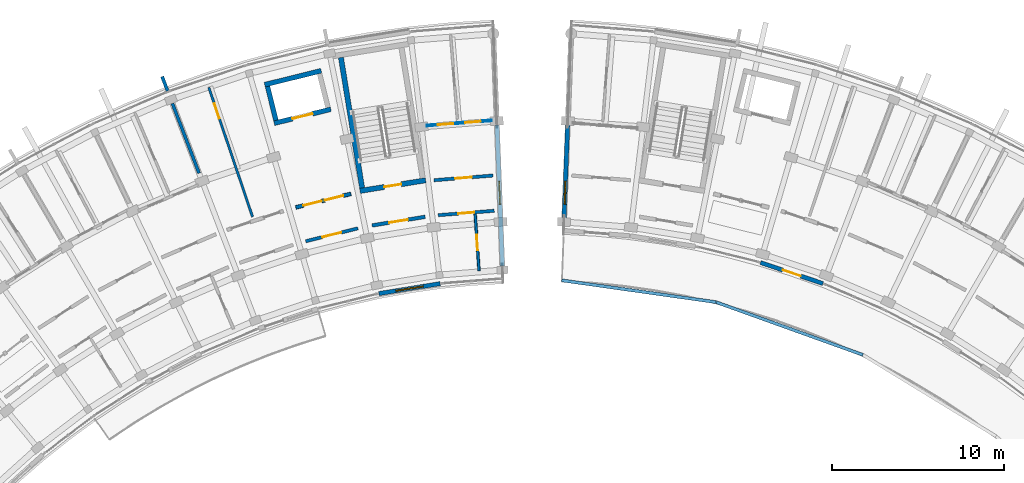
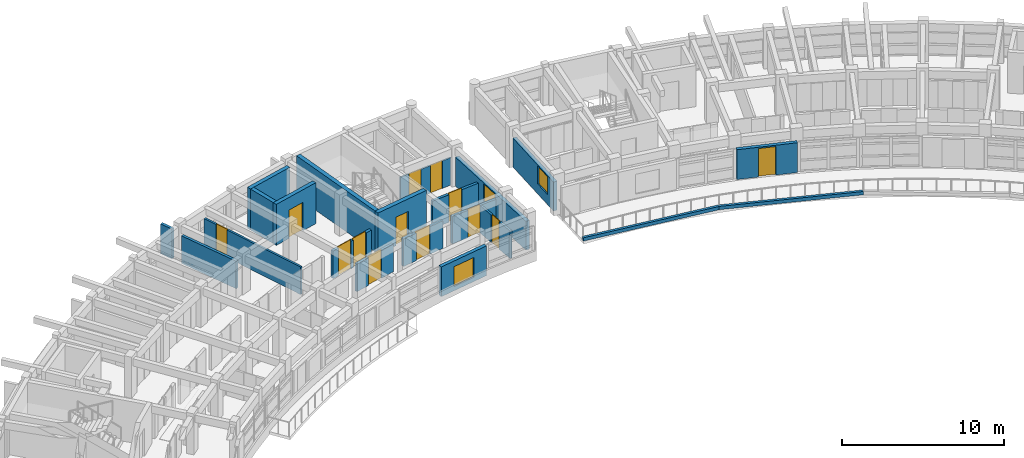
# One storey, part 22 of 38: 21 walls, 13 doors, 3 windows, 16 openings.
"""IFC4 building model written with IfcOpenShell, lengths in metres."""

from ifc_helpers import new_model, si_unit, direction, frame, frame_2d, origin, place, context, subcontext, project, spatial, rectangle, extrude, material, layer, layer_set, type_object, element, fill, save


model = new_model("IFC4")

# Units and contexts
model_context = context("Model", 3, precision=1e-05, world=origin(), true_north=direction((0.0, 1.0)))
body_context = subcontext(model_context, "Body", "Model", "MODEL_VIEW")
ifc_project = project(units=[si_unit("LENGTHUNIT", "METRE"), si_unit("AREAUNIT", "SQUARE_METRE"), si_unit("VOLUMEUNIT", "CUBIC_METRE"), si_unit("PLANEANGLEUNIT", "RADIAN"), si_unit("MASSUNIT", "GRAM", prefix="KILO")], contexts=[model_context])

# Site, building, storey
site_placement = place(None, origin())
site = spatial("IfcSite", under=ifc_project, at=site_placement, CompositionType="ELEMENT")
building_placement = place(site_placement, origin())
building = spatial("IfcBuilding", under=site, at=building_placement, Name="Zimvara Arc Housing Community", CompositionType="ELEMENT")
storey_placement = place(building_placement, frame((0.0, 0.0, 29.800048828125)))
storey = spatial("IfcBuildingStorey", under=building, at=storey_placement, Name="L09", CompositionType="ELEMENT", Elevation=29.800048828125)

# Wall, opening, window
ifc_material_1 = material(Name="Board-Marked Fair-Faced Concrete C35/45", Category="concrete")
ifc_layer_1 = layer(ifc_material_1, 0.2548828125)
ifc_layer_set_1 = layer_set([ifc_layer_1], Name="Board-Marked Fair-Faced Concrete C35/45")
wall_type_1 = type_object("IfcWallType", Name="EWL-CONC-255", PredefinedType="SOLIDWALL", material=ifc_layer_set_1)
wall_1_placement = place(storey_placement, frame((43.2587890625, 89.82666015625, 0.0), z_axis=(0.0, 0.0, 1.0), x_axis=(-0.038407966241, 0.999262141847, 0.0)))
wall_1 = element("IfcWall", 1, at=wall_1_placement, inside=storey, type_object=wall_type_1, Name="ewall:blkA:L09:gN", PredefinedType="SOLIDWALL", context=body_context, shape_type="SweptSolid", body=[
    extrude(rectangle(XDim=8.199951171875, YDim=0.2548828125, at=frame_2d((4.10009765625, 0.0))), origin(), (0.0, 0.0, 1.0), 2.179931640625),
])
opening_1_placement = place(wall_1_placement, frame((3.590087890625, 0.0, 0.75)))
opening_1 = element("IfcOpeningElement", 2, at=opening_1_placement, cuts=wall_1, Name="Opening W12", PredefinedType="OPENING", context=body_context, shape_type="SweptSolid", body=[
    extrude(rectangle(XDim=1.35009765625, YDim=1.35009765625, at=frame_2d((0.675048828125, 0.675048828125))), frame((0.0, 0.137451171875, 0.0), z_axis=(0.0, -1.0, 0.0), x_axis=(1.0, 0.0, 0.0)), (0.0, 0.0, 1.0), 0.27490234375),
])
ifc_material_2 = material(Name="Solar Control Low-E Double Glazing", Category="glass")
window_type_1 = type_object("IfcWindowType", Name="WIN-RES-1350x1350", PartitioningType="DOUBLE_PANEL_VERTICAL", PredefinedType="WINDOW", material=ifc_material_2)
window_1_placement = place(opening_1_placement, origin())
window_1 = element("IfcWindow", 3, at=window_1_placement, inside=storey, type_object=window_type_1, Name="win:blkA:L09:gN:w", OverallHeight=1.35009765625, OverallWidth=1.35009765625, PartitioningType="DOUBLE_PANEL_VERTICAL", PredefinedType="WINDOW", context=body_context, shape_type="SweptSolid", body=[
    extrude(rectangle(XDim=1.35009765625, YDim=1.35009765625, at=frame_2d((0.675048828125, 0.675048828125))), frame((0.0, 0.030029296875, 0.0), z_axis=(0.0, -1.0, 0.0), x_axis=(1.0, 0.0, 0.0)), (0.0, 0.0, 1.0), 0.06005859375),
])
fill(opening_1, window_1)

wall_2_placement = place(storey_placement, frame((46.848876953125, 92.62451171875, 0.0), z_axis=(0.0, 0.0, 1.0), x_axis=(0.038384504742, 0.999263043345, 0.0)))
wall_2 = element("IfcWall", 4, at=wall_2_placement, inside=storey, type_object=wall_type_1, Name="ewall:blkB:L09:g0", PredefinedType="SOLIDWALL", context=body_context, shape_type="SweptSolid", body=[
    extrude(rectangle(XDim=5.39990234375, YDim=0.2548828125, at=frame_2d((2.699951171875, 0.0))), origin(), (0.0, 0.0, 1.0), 2.179931640625),
])
opening_2_placement = place(wall_2_placement, frame((0.7900390625, 0.0, 0.75)))
opening_2 = element("IfcOpeningElement", 5, at=opening_2_placement, cuts=wall_2, Name="Opening W12", PredefinedType="OPENING", context=body_context, shape_type="SweptSolid", body=[
    extrude(rectangle(XDim=1.35009765625, YDim=1.35009765625, at=frame_2d((0.675048828125, 0.675048828125))), frame((0.0, 0.137451171875, 0.0), z_axis=(0.0, -1.0, 0.0), x_axis=(1.0, 0.0, 0.0)), (0.0, 0.0, 1.0), 0.27490234375),
])
window_2_placement = place(opening_2_placement, origin())
window_2 = element("IfcWindow", 6, at=window_2_placement, inside=storey, type_object=window_type_1, Name="win:blkB:L09:g0:w", OverallHeight=1.35009765625, OverallWidth=1.35009765625, PartitioningType="DOUBLE_PANEL_VERTICAL", PredefinedType="WINDOW", context=body_context, shape_type="SweptSolid", body=[
    extrude(rectangle(XDim=1.35009765625, YDim=1.35009765625, at=frame_2d((0.675048828125, 0.675048828125))), frame((0.0, 0.030029296875, 0.0), z_axis=(0.0, -1.0, 0.0), x_axis=(1.0, 0.0, 0.0)), (0.0, 0.0, 1.0), 0.06005859375),
])
fill(opening_2, window_2)

# Walls
ifc_material_3 = material(Name="Board-Marked Fair-Faced Concrete C35/45", Category="concrete")
ifc_layer_2 = layer(ifc_material_3, 0.179931640625)
ifc_layer_set_2 = layer_set([ifc_layer_2], Name="Board-Marked Fair-Faced Concrete C35/45")
wall_type_2 = type_object("IfcWallType", Name="EWL-PARA-180", PredefinedType="PARAPET", material=ifc_layer_set_2)
for number, where, z_axis, x_axis, name in (
    (7, (46.708984375, 88.9873046875, 0.0), (0.0, 0.0, 1.0), (0.990144916512, -0.140046579057, 0.0), "parapet:blkB:L09:p0"),
    (8, (55.695068359375, 87.71630859375, 0.0), (0.0, 0.0, 1.0), (0.941178218484, -0.337910581443, 0.0), "parapet:blkB:L09:p5"),
):
    element("IfcWall", number, at=place(storey_placement, frame(where, z_axis=z_axis, x_axis=x_axis)), inside=storey, type_object=wall_type_2, Name=name, PredefinedType="PARAPET", context=body_context, shape_type="SweptSolid", body=[
        extrude(rectangle(XDim=9.075439453125, YDim=0.179931640625, at=frame_2d((4.53759765625, 0.0))), origin(), (0.0, 0.0, 1.0), 0.25),
    ])
ifc_material_4 = material(Name="Board-Marked Fair-Faced Concrete C35/45", Category="concrete")
ifc_layer_3 = layer(ifc_material_4, 0.195068359375)
ifc_layer_set_3 = layer_set([ifc_layer_3], Name="Board-Marked Fair-Faced Concrete C35/45")
wall_type_3 = type_object("IfcWallType", Name="EWL-PARA-195", PredefinedType="PARAPET", material=ifc_layer_set_3)
wall_3_placement = place(storey_placement, frame((23.783203125, 100.0029296875, 0.0), z_axis=(0.0, 0.0, 1.0), x_axis=(-0.356942580168, 0.934126326823, 0.0)))
element("IfcWall", 9, at=wall_3_placement, inside=storey, type_object=wall_type_3, Name="finwall:blkA:L09:out:b6", PredefinedType="PARAPET", context=body_context, shape_type="SweptSolid", body=[
    extrude(rectangle(XDim=0.900146484375, YDim=0.195068359375, at=frame_2d((0.4501953125, 0.0))), origin(), (0.0, 0.0, 1.0), 2.25),
])

# Wall, opening, window
ifc_material_5 = material(Name="Pigmented Fair-Faced Concrete C35/45", Category="concrete")
ifc_layer_4 = layer(ifc_material_5, 0.2451171875)
ifc_layer_set_4 = layer_set([ifc_layer_4], Name="Pigmented Fair-Faced Concrete C35/45")
wall_type_4 = type_object("IfcWallType", Name="EWL-PIGM-245", PredefinedType="SOLIDWALL", material=ifc_layer_set_4)
wall_4_placement = place(storey_placement, frame((36.078125, 88.218017578125, 0.0), z_axis=(0.0, 0.0, 1.0), x_axis=(0.987080874485, 0.160222804952, 0.0)))
wall_4 = element("IfcWall", 10, at=wall_4_placement, inside=storey, type_object=wall_type_4, Name="ewall:blkA:L09:in:b8", PredefinedType="SOLIDWALL", context=body_context, shape_type="SweptSolid", body=[
    extrude(rectangle(XDim=3.603759765625, YDim=0.2451171875, at=frame_2d((1.8017578125, 0.0))), origin(), (0.0, 0.0, 1.0), 2.25),
])
opening_3_placement = place(wall_4_placement, frame((1.001708984375, 0.0, 0.320068359375)))
opening_3 = element("IfcOpeningElement", 11, at=opening_3_placement, cuts=wall_4, Name="Opening W03", PredefinedType="OPENING", context=body_context, shape_type="SweptSolid", body=[
    extrude(rectangle(XDim=1.60009765625, YDim=1.5, at=frame_2d((0.800048828125, 0.75))), frame((0.0, 0.132568359375, 0.0), z_axis=(0.0, -1.0, 0.0), x_axis=(1.0, 0.0, 0.0)), (0.0, 0.0, 1.0), 0.26513671875),
])
ifc_material_6 = material(Name="Solar Control Low-E Double Glazing", Category="glass")
window_type_2 = type_object("IfcWindowType", Name="WIN-RES-1600x1500", PartitioningType="DOUBLE_PANEL_VERTICAL", PredefinedType="WINDOW", material=ifc_material_6)
window_3_placement = place(opening_3_placement, origin())
window_3 = element("IfcWindow", 12, at=window_3_placement, inside=storey, type_object=window_type_2, Name="win:blkA:L09:in:b8", OverallHeight=1.5, OverallWidth=1.60009765625, PartitioningType="DOUBLE_PANEL_VERTICAL", PredefinedType="WINDOW", context=body_context, shape_type="SweptSolid", body=[
    extrude(rectangle(XDim=1.60009765625, YDim=1.5, at=frame_2d((0.800048828125, 0.75))), frame((0.0, 0.030029296875, 0.0), z_axis=(0.0, -1.0, 0.0), x_axis=(1.0, 0.0, 0.0)), (0.0, 0.0, 1.0), 0.06005859375),
])
fill(opening_3, window_3)

# Wall, opening, door
wall_5_placement = place(storey_placement, frame((58.280517578125, 90.021484375, 0.0), z_axis=(0.0, 0.0, 1.0), x_axis=(0.947890376231, -0.318596664529, 0.0)))
wall_5 = element("IfcWall", 13, at=wall_5_placement, inside=storey, type_object=wall_type_4, Name="ewall:blkB:L09:in:b3", PredefinedType="SOLIDWALL", context=body_context, shape_type="SweptSolid", body=[
    extrude(rectangle(XDim=3.832275390625, YDim=0.2451171875, at=frame_2d((1.916015625, 0.0))), origin(), (0.0, 0.0, 1.0), 2.25),
])
opening_4_placement = place(wall_5_placement, frame((1.3662109375, 0.0, 0.0)))
opening_4 = element("IfcOpeningElement", 14, at=opening_4_placement, cuts=wall_5, Name="Opening ED06", PredefinedType="OPENING", context=body_context, shape_type="SweptSolid", body=[
    extrude(rectangle(XDim=1.10009765625, YDim=2.14990234375, at=frame_2d((0.550048828125, 1.074951171875))), frame((0.0, 0.132568359375, 0.0), z_axis=(0.0, -1.0, 0.0), x_axis=(1.0, 0.0, 0.0)), (0.0, 0.0, 1.0), 0.26513671875),
])
ifc_material_7 = material(Name="Anodised Aluminium AW-6063", Category="aluminium")
door_type_1 = type_object("IfcDoorType", Name="EDR-TERR-1100x2150", OperationType="NOTDEFINED", PredefinedType="DOOR", material=ifc_material_7)
door_1_placement = place(opening_4_placement, origin())
door_1 = element("IfcDoor", 15, at=door_1_placement, inside=storey, type_object=door_type_1, Name="edoor:blkB:L09:terr:b3", OperationType="SINGLE_SWING_LEFT", OverallHeight=2.14990234375, OverallWidth=1.10009765625, PredefinedType="DOOR", context=body_context, shape_type="SweptSolid", body=[
    extrude(rectangle(XDim=1.10009765625, YDim=2.14990234375, at=frame_2d((0.550048828125, 1.074951171875))), frame((0.0, 0.02490234375, 0.0), z_axis=(0.0, -1.0, 0.0), x_axis=(1.0, 0.0, 0.0)), (0.0, 0.0, 1.0), 0.050048828125),
])
fill(opening_4, door_1)

# Wall, openings, doors
ifc_material_8 = material(Name="Concrete C35/45", Category="concrete")
ifc_layer_5 = layer(ifc_material_8, 0.2099609375)
ifc_layer_set_5 = layer_set([ifc_layer_5], Name="Concrete C35/45")
wall_type_5 = type_object("IfcWallType", Name="IWL-CCF-210", PredefinedType="SOLIDWALL", material=ifc_layer_set_5)
wall_6_placement = place(storey_placement, frame((31.242919921875, 93.22998046875, 0.0), z_axis=(0.0, 0.0, 1.0), x_axis=(0.970719238682, 0.240216901263, 0.0)))
wall_6 = element("IfcWall", 16, at=wall_6_placement, inside=storey, type_object=wall_type_5, Name="iwall:blkA:L09:ll_div:b7", PredefinedType="SOLIDWALL", context=body_context, shape_type="SweptSolid", body=[
    extrude(rectangle(XDim=3.2958984375, YDim=0.2099609375, at=frame_2d((1.64794921875, 0.0))), origin(), (0.0, 0.0, 1.0), 2.079833984375),
])
opening_5_placement = place(wall_6_placement, frame((0.449951171875, 0.0, 0.0)))
opening_5 = element("IfcOpeningElement", 17, at=opening_5_placement, cuts=wall_6, Name="Opening FD-CCF1", PredefinedType="OPENING", context=body_context, shape_type="SweptSolid", body=[
    extrude(rectangle(XDim=1.10009765625, YDim=2.14990234375, at=frame_2d((0.550048828125, 1.074951171875))), frame((0.0, 0.114990234375, 0.0), z_axis=(0.0, -1.0, 0.0), x_axis=(1.0, 0.0, 0.0)), (0.0, 0.0, 1.0), 0.22998046875),
])
opening_6_placement = place(wall_6_placement, frame((1.72607421875, 0.0, 0.0)))
opening_6 = element("IfcOpeningElement", 18, at=opening_6_placement, cuts=wall_6, Name="Opening D07", PredefinedType="OPENING", context=body_context, shape_type="SweptSolid", body=[
    extrude(rectangle(XDim=1.1201171875, YDim=2.14990234375, at=frame_2d((0.56005859375, 1.074951171875))), frame((0.0, 0.114990234375, 0.0), z_axis=(0.0, -1.0, 0.0), x_axis=(1.0, 0.0, 0.0)), (0.0, 0.0, 1.0), 0.22998046875),
])
ifc_material_9 = material(Name="Mozambican Hardwood", Category="wood")
door_type_2 = type_object("IfcDoorType", Name="IDR-AMN-1120x2150", OperationType="NOTDEFINED", PredefinedType="DOOR", material=ifc_material_9)
door_2_placement = place(opening_6_placement, origin())
door_2 = element("IfcDoor", 19, at=door_2_placement, inside=storey, type_object=door_type_2, Name="idoor:blkA:L09:rs_in:b7", OperationType="SINGLE_SWING_LEFT", OverallHeight=2.14990234375, OverallWidth=1.1201171875, PredefinedType="DOOR", context=body_context, shape_type="SweptSolid", body=[
    extrude(rectangle(XDim=1.1201171875, YDim=2.14990234375, at=frame_2d((0.56005859375, 1.074951171875))), frame((0.0, 0.02490234375, 0.0), z_axis=(0.0, -1.0, 0.0), x_axis=(1.0, 0.0, 0.0)), (0.0, 0.0, 1.0), 0.050048828125),
])
fill(opening_6, door_2)
ifc_material_10 = material(Name="Anodised Aluminium AW-6063", Category="aluminium")
door_type_3 = type_object("IfcDoorType", Name="IDR-CCF-1100x2150", OperationType="NOTDEFINED", PredefinedType="DOOR", material=ifc_material_10)
door_3_placement = place(opening_5_placement, origin())
door_3 = element("IfcDoor", 20, at=door_3_placement, inside=storey, type_object=door_type_3, Name="idoor:blkA:L09:ll_in:b7", OperationType="SINGLE_SWING_RIGHT", OverallHeight=2.14990234375, OverallWidth=1.10009765625, PredefinedType="DOOR", context=body_context, shape_type="SweptSolid", body=[
    extrude(rectangle(XDim=1.10009765625, YDim=2.14990234375, at=frame_2d((0.550048828125, 1.074951171875))), frame((0.0, 0.02490234375, 0.0), z_axis=(0.0, -1.0, 0.0), x_axis=(1.0, 0.0, 0.0)), (0.0, 0.0, 1.0), 0.050048828125),
])
fill(opening_5, door_3)

# Wall, opening, door
wall_7_placement = place(storey_placement, frame((35.675537109375, 92.181396484375, 0.0), z_axis=(0.0, 0.0, 1.0), x_axis=(0.98707079686, 0.160284877599, 0.0)))
wall_7 = element("IfcWall", 21, at=wall_7_placement, inside=storey, type_object=wall_type_5, Name="iwall:blkA:L09:ccf_div:b8", PredefinedType="SOLIDWALL", context=body_context, shape_type="SweptSolid", body=[
    extrude(rectangle(XDim=3.128662109375, YDim=0.2099609375, at=frame_2d((1.564453125, 0.0))), origin(), (0.0, 0.0, 1.0), 2.079833984375),
])
opening_7_placement = place(wall_7_placement, frame((1.014404296875, 0.0, 0.0)))
opening_7 = element("IfcOpeningElement", 22, at=opening_7_placement, cuts=wall_7, Name="Opening FD-CCF1", PredefinedType="OPENING", context=body_context, shape_type="SweptSolid", body=[
    extrude(rectangle(XDim=1.10009765625, YDim=2.14990234375, at=frame_2d((0.550048828125, 1.074951171875))), frame((0.0, 0.114990234375, 0.0), z_axis=(0.0, -1.0, 0.0), x_axis=(1.0, 0.0, 0.0)), (0.0, 0.0, 1.0), 0.22998046875),
])
door_4_placement = place(opening_7_placement, origin())
door_4 = element("IfcDoor", 23, at=door_4_placement, inside=storey, type_object=door_type_3, Name="idoor:blkA:L09:ccf_in:b8", OperationType="SINGLE_SWING_LEFT", OverallHeight=2.14990234375, OverallWidth=1.10009765625, PredefinedType="DOOR", context=body_context, shape_type="SweptSolid", body=[
    extrude(rectangle(XDim=1.10009765625, YDim=2.14990234375, at=frame_2d((0.550048828125, 1.074951171875))), frame((0.0, 0.02490234375, 0.0), z_axis=(0.0, -1.0, 0.0), x_axis=(1.0, 0.0, 0.0)), (0.0, 0.0, 1.0), 0.050048828125),
])
fill(opening_7, door_4)

ifc_material_11 = material(Name="Concrete C35/45", Category="concrete")
ifc_layer_6 = layer(ifc_material_11, 0.18994140625)
ifc_layer_set_6 = layer_set([ifc_layer_6], Name="Concrete C35/45")
wall_type_6 = type_object("IfcWallType", Name="IWL-CORR-190", PredefinedType="SOLIDWALL", material=ifc_layer_set_6)
wall_8_placement = place(storey_placement, frame((31.816162109375, 91.26171875, 0.0), z_axis=(0.0, 0.0, 1.0), x_axis=(0.970727194092, 0.240184751078, 0.0)))
wall_8 = element("IfcWall", 24, at=wall_8_placement, inside=storey, type_object=wall_type_6, Name="iwall:blkA:L09:ra_div:b7", PredefinedType="SOLIDWALL", context=body_context, shape_type="SweptSolid", body=[
    extrude(rectangle(XDim=3.128662109375, YDim=0.18994140625, at=frame_2d((1.564453125, 0.0))), origin(), (0.0, 0.0, 1.0), 2.079833984375),
])
opening_8_placement = place(wall_8_placement, frame((1.00439453125, 0.0, 0.0)))
opening_8 = element("IfcOpeningElement", 25, at=opening_8_placement, cuts=wall_8, Name="Opening D07", PredefinedType="OPENING", context=body_context, shape_type="SweptSolid", body=[
    extrude(rectangle(XDim=1.1201171875, YDim=2.14990234375, at=frame_2d((0.56005859375, 1.074951171875))), frame((0.0, 0.10498046875, 0.0), z_axis=(0.0, -1.0, 0.0), x_axis=(1.0, 0.0, 0.0)), (0.0, 0.0, 1.0), 0.2099609375),
])
door_5_placement = place(opening_8_placement, origin())
door_5 = element("IfcDoor", 26, at=door_5_placement, inside=storey, type_object=door_type_2, Name="idoor:blkA:L09:ra_d:b7", OperationType="SINGLE_SWING_RIGHT", OverallHeight=2.14990234375, OverallWidth=1.1201171875, PredefinedType="DOOR", context=body_context, shape_type="SweptSolid", body=[
    extrude(rectangle(XDim=1.1201171875, YDim=2.14990234375, at=frame_2d((0.56005859375, 1.074951171875))), frame((0.0, 0.02490234375, 0.0), z_axis=(0.0, -1.0, 0.0), x_axis=(1.0, 0.0, 0.0)), (0.0, 0.0, 1.0), 0.050048828125),
])
fill(opening_8, door_5)

wall_9_placement = place(storey_placement, frame((39.281494140625, 94.81298828125, 0.0), z_axis=(0.0, 0.0, 1.0), x_axis=(0.996862545573, 0.079152165058, 0.0)))
wall_9 = element("IfcWall", 27, at=wall_9_placement, inside=storey, type_object=wall_type_6, Name="iwall:blkA:L09:corr_out:b9", PredefinedType="SOLIDWALL", context=body_context, shape_type="SweptSolid", body=[
    extrude(rectangle(XDim=3.43603515625, YDim=0.18994140625, at=frame_2d((1.718017578125, 0.0))), origin(), (0.0, 0.0, 1.0), 2.079833984375),
])
opening_9_placement = place(wall_9_placement, frame((1.22802734375, 0.0, 0.0)))
opening_9 = element("IfcOpeningElement", 28, at=opening_9_placement, cuts=wall_9, Name="Opening FD-FL1", PredefinedType="OPENING", context=body_context, shape_type="SweptSolid", body=[
    extrude(rectangle(XDim=0.97998046875, YDim=2.14990234375, at=frame_2d((0.489990234375, 1.074951171875))), frame((0.0, 0.10498046875, 0.0), z_axis=(0.0, -1.0, 0.0), x_axis=(1.0, 0.0, 0.0)), (0.0, 0.0, 1.0), 0.2099609375),
])
ifc_material_12 = material(Name="Mozambican Hardwood", Category="wood")
door_type_4 = type_object("IfcDoorType", Name="IDR-FLAT-0980x2150", OperationType="NOTDEFINED", PredefinedType="DOOR", material=ifc_material_12)
door_6_placement = place(opening_9_placement, origin())
door_6 = element("IfcDoor", 29, at=door_6_placement, inside=storey, type_object=door_type_4, Name="idoor:blkA:L09:flat:b9", OperationType="SINGLE_SWING_RIGHT", OverallHeight=2.14990234375, OverallWidth=0.97998046875, PredefinedType="DOOR", context=body_context, shape_type="SweptSolid", body=[
    extrude(rectangle(XDim=0.97998046875, YDim=2.14990234375, at=frame_2d((0.489990234375, 1.074951171875))), frame((0.0, 0.02490234375, 0.0), z_axis=(0.0, -1.0, 0.0), x_axis=(1.0, 0.0, 0.0)), (0.0, 0.0, 1.0), 0.050048828125),
])
fill(opening_9, door_6)

wall_10_placement = place(storey_placement, frame((39.527099609375, 92.77783203125, 0.0), z_axis=(0.0, 0.0, 1.0), x_axis=(0.99686660806, 0.07910098441, 0.0)))
wall_10 = element("IfcWall", 30, at=wall_10_placement, inside=storey, type_object=wall_type_6, Name="iwall:blkA:L09:corr_in:b9", PredefinedType="SOLIDWALL", context=body_context, shape_type="SweptSolid", body=[
    extrude(rectangle(XDim=3.2685546875, YDim=0.18994140625, at=frame_2d((1.63427734375, 0.0))), origin(), (0.0, 0.0, 1.0), 2.079833984375),
])
opening_10_placement = place(wall_10_placement, frame((1.164306640625, 0.0, 0.0)))
opening_10 = element("IfcOpeningElement", 31, at=opening_10_placement, cuts=wall_10, Name="Opening D03", PredefinedType="OPENING", context=body_context, shape_type="SweptSolid", body=[
    extrude(rectangle(XDim=0.93994140625, YDim=2.10009765625, at=frame_2d((0.469970703125, 1.050048828125))), frame((0.0, 0.10498046875, 0.0), z_axis=(0.0, -1.0, 0.0), x_axis=(1.0, 0.0, 0.0)), (0.0, 0.0, 1.0), 0.2099609375),
])
ifc_material_13 = material(Name="Mozambican Hardwood", Category="wood")
door_type_5 = type_object("IfcDoorType", Name="IDR-RM-0940x2100", OperationType="NOTDEFINED", PredefinedType="DOOR", material=ifc_material_13)
door_7_placement = place(opening_10_placement, origin())
door_7 = element("IfcDoor", 32, at=door_7_placement, inside=storey, type_object=door_type_5, Name="idoor:blkA:L09:in_rm:b9", OperationType="SINGLE_SWING_LEFT", OverallHeight=2.10009765625, OverallWidth=0.93994140625, PredefinedType="DOOR", context=body_context, shape_type="SweptSolid", body=[
    extrude(rectangle(XDim=0.93994140625, YDim=2.10009765625, at=frame_2d((0.469970703125, 1.050048828125))), frame((0.0, 0.02490234375, 0.0), z_axis=(0.0, -1.0, 0.0), x_axis=(1.0, 0.0, 0.0)), (0.0, 0.0, 1.0), 0.050048828125),
])
fill(opening_10, door_7)

# Wall
ifc_material_14 = material(Name="Concrete C35/45", Category="concrete")
ifc_layer_7 = layer(ifc_material_14, 0.18505859375)
ifc_layer_set_7 = layer_set([ifc_layer_7], Name="Concrete C35/45")
wall_type_7 = type_object("IfcWallType", Name="IWL-FLAT-185", PredefinedType="SOLIDWALL", material=ifc_layer_set_7)
wall_11_placement = place(storey_placement, frame((25.611328125, 95.220458984375, 0.0), z_axis=(0.0, 0.0, 1.0), x_axis=(-0.357064016205, 0.934079915388, 0.0)))
element("IfcWall", 33, at=wall_11_placement, inside=storey, type_object=wall_type_7, Name="iwall:blkA:L09:party:b6", PredefinedType="SOLIDWALL", context=body_context, shape_type="SweptSolid", body=[
    extrude(rectangle(XDim=4.35009765625, YDim=0.18505859375, at=frame_2d((2.175048828125, 0.0))), origin(), (0.0, 0.0, 1.0), 2.079833984375),
])

# Wall, openings, doors
ifc_material_15 = material(Name="Painted Acoustic Plasterboard")
ifc_layer_8 = layer(ifc_material_15, 0.10009765625)
ifc_layer_set_8 = layer_set([ifc_layer_8], Name="Painted Acoustic Plasterboard")
wall_type_8 = type_object("IfcWallType", Name="IWL-PART-100", PredefinedType="PARTITIONING", material=ifc_layer_set_8)
wall_12_placement = place(storey_placement, frame((38.848388671875, 97.986083984375, 0.0), z_axis=(0.0, 0.0, 1.0), x_axis=(0.996863138536, 0.079144696778, 0.0)))
wall_12 = element("IfcWall", 34, at=wall_12_placement, inside=storey, type_object=wall_type_8, Name="iwall:blkA:L09:srv:b9", PredefinedType="PARTITIONING", context=body_context, shape_type="SweptSolid", body=[
    extrude(rectangle(XDim=3.79736328125, YDim=0.10009765625, at=frame_2d((1.898681640625, 0.0))), origin(), (0.0, 0.0, 1.0), 2.079833984375),
])
opening_11_placement = place(wall_12_placement, frame((0.64990234375, 0.0, 0.0)))
opening_11 = element("IfcOpeningElement", 35, at=opening_11_placement, cuts=wall_12, Name="Opening D01", PredefinedType="OPENING", context=body_context, shape_type="SweptSolid", body=[
    extrude(rectangle(XDim=0.89990234375, YDim=2.10009765625, at=frame_2d((0.449951171875, 1.050048828125))), frame((0.0, 0.06005859375, 0.0), z_axis=(0.0, -1.0, 0.0), x_axis=(1.0, 0.0, 0.0)), (0.0, 0.0, 1.0), 0.1201171875),
])
opening_12_placement = place(wall_12_placement, frame((2.267333984375, 0.0, 0.0)))
opening_12 = element("IfcOpeningElement", 36, at=opening_12_placement, cuts=wall_12, Name="Opening D05", PredefinedType="OPENING", context=body_context, shape_type="SweptSolid", body=[
    extrude(rectangle(XDim=0.8798828125, YDim=2.10009765625, at=frame_2d((0.43994140625, 1.050048828125))), frame((0.0, 0.06005859375, 0.0), z_axis=(0.0, -1.0, 0.0), x_axis=(1.0, 0.0, 0.0)), (0.0, 0.0, 1.0), 0.1201171875),
])
ifc_material_16 = material(Name="Mozambican Hardwood", Category="wood")
door_type_6 = type_object("IfcDoorType", Name="IDR-RM-0900x2100", OperationType="NOTDEFINED", PredefinedType="DOOR", material=ifc_material_16)
door_8_placement = place(opening_11_placement, origin())
door_8 = element("IfcDoor", 37, at=door_8_placement, inside=storey, type_object=door_type_6, Name="idoor:blkA:L09:kit_liv:b9", OperationType="SINGLE_SWING_LEFT", OverallHeight=2.10009765625, OverallWidth=0.89990234375, PredefinedType="DOOR", context=body_context, shape_type="SweptSolid", body=[
    extrude(rectangle(XDim=0.89990234375, YDim=2.10009765625, at=frame_2d((0.449951171875, 1.050048828125))), frame((0.0, 0.02490234375, 0.0), z_axis=(0.0, -1.0, 0.0), x_axis=(1.0, 0.0, 0.0)), (0.0, 0.0, 1.0), 0.050048828125),
])
fill(opening_11, door_8)
ifc_material_17 = material(Name="Mozambican Hardwood", Category="wood")
door_type_7 = type_object("IfcDoorType", Name="IDR-WC-0880x2100", OperationType="NOTDEFINED", PredefinedType="DOOR", material=ifc_material_17)
door_9_placement = place(opening_12_placement, origin())
door_9 = element("IfcDoor", 38, at=door_9_placement, inside=storey, type_object=door_type_7, Name="idoor:blkA:L09:bath_d:b9", OperationType="SINGLE_SWING_RIGHT", OverallHeight=2.10009765625, OverallWidth=0.8798828125, PredefinedType="DOOR", context=body_context, shape_type="SweptSolid", body=[
    extrude(rectangle(XDim=0.8798828125, YDim=2.10009765625, at=frame_2d((0.43994140625, 1.050048828125))), frame((0.0, 0.02490234375, 0.0), z_axis=(0.0, -1.0, 0.0), x_axis=(1.0, 0.0, 0.0)), (0.0, 0.0, 1.0), 0.050048828125),
])
fill(opening_12, door_9)

# Wall, opening, door
ifc_material_18 = material(Name="Painted Acoustic Plasterboard")
ifc_layer_9 = layer(ifc_material_18, 0.139892578125)
ifc_layer_set_9 = layer_set([ifc_layer_9], Name="Painted Acoustic Plasterboard")
wall_type_9 = type_object("IfcWallType", Name="IWL-PART-140", PredefinedType="PARTITIONING", material=ifc_layer_set_9)
wall_13_placement = place(storey_placement, frame((28.72509765625, 92.67529296875, 0.0), z_axis=(0.0, 0.0, 1.0), x_axis=(-0.320057771325, 0.947398027766, 0.0)))
wall_13 = element("IfcWall", 39, at=wall_13_placement, inside=storey, type_object=wall_type_9, Name="iwall:blkA:L09:amen_div:b6", PredefinedType="PARTITIONING", context=body_context, shape_type="SweptSolid", body=[
    extrude(rectangle(XDim=7.949951171875, YDim=0.139892578125, at=frame_2d((3.97509765625, 0.0))), origin(), (0.0, 0.0, 1.0), 2.079833984375),
])
opening_13_placement = place(wall_13_placement, frame((6.050048828125, 0.0, 0.0)))
opening_13 = element("IfcOpeningElement", 40, at=opening_13_placement, cuts=wall_13, Name="Opening D02", PredefinedType="OPENING", context=body_context, shape_type="SweptSolid", body=[
    extrude(rectangle(XDim=0.919921875, YDim=2.10009765625, at=frame_2d((0.4599609375, 1.050048828125))), frame((0.0, 0.079833984375, 0.0), z_axis=(0.0, -1.0, 0.0), x_axis=(1.0, 0.0, 0.0)), (0.0, 0.0, 1.0), 0.159912109375),
])
ifc_material_19 = material(Name="Mozambican Hardwood", Category="wood")
door_type_8 = type_object("IfcDoorType", Name="IDR-RM-0920x2100", OperationType="NOTDEFINED", PredefinedType="DOOR", material=ifc_material_19)
door_10_placement = place(opening_13_placement, origin())
door_10 = element("IfcDoor", 41, at=door_10_placement, inside=storey, type_object=door_type_8, Name="idoor:blkA:L09:laund_d:b6", OperationType="SINGLE_SWING_LEFT", OverallHeight=2.10009765625, OverallWidth=0.919921875, PredefinedType="DOOR", context=body_context, shape_type="SweptSolid", body=[
    extrude(rectangle(XDim=0.919921875, YDim=2.10009765625, at=frame_2d((0.4599609375, 1.050048828125))), frame((0.0, 0.02490234375, 0.0), z_axis=(0.0, -1.0, 0.0), x_axis=(1.0, 0.0, 0.0)), (0.0, 0.0, 1.0), 0.050048828125),
])
fill(opening_13, door_10)

ifc_material_20 = material(Name="Painted Acoustic Plasterboard")
ifc_layer_10 = layer(ifc_material_20, 0.14501953125)
ifc_layer_set_10 = layer_set([ifc_layer_10], Name="Painted Acoustic Plasterboard")
wall_type_10 = type_object("IfcWallType", Name="IWL-WET-145", PredefinedType="PARTITIONING", material=ifc_layer_set_10)
wall_14_placement = place(storey_placement, frame((41.9013671875, 89.54345703125, 0.0), z_axis=(0.0, 0.0, 1.0), x_axis=(-0.068581194944, 0.997645538105, 0.0)))
wall_14 = element("IfcWall", 42, at=wall_14_placement, inside=storey, type_object=wall_type_10, Name="iwall:blkA:L09:ens:b9", PredefinedType="PARTITIONING", context=body_context, shape_type="SweptSolid", body=[
    extrude(rectangle(XDim=3.300048828125, YDim=0.14501953125, at=frame_2d((1.64990234375, 0.0))), origin(), (0.0, 0.0, 1.0), 2.079833984375),
])
opening_14_placement = place(wall_14_placement, frame((1.2099609375, 0.0, 0.0)))
opening_14 = element("IfcOpeningElement", 43, at=opening_14_placement, cuts=wall_14, Name="Opening D05", PredefinedType="OPENING", context=body_context, shape_type="SweptSolid", body=[
    extrude(rectangle(XDim=0.8798828125, YDim=2.10009765625, at=frame_2d((0.43994140625, 1.050048828125))), frame((0.0, 0.08251953125, 0.0), z_axis=(0.0, -1.0, 0.0), x_axis=(1.0, 0.0, 0.0)), (0.0, 0.0, 1.0), 0.1650390625),
])
door_11_placement = place(opening_14_placement, origin())
door_11 = element("IfcDoor", 44, at=door_11_placement, inside=storey, type_object=door_type_7, Name="idoor:blkA:L09:ens_d:b9", OperationType="SINGLE_SWING_RIGHT", OverallHeight=2.10009765625, OverallWidth=0.8798828125, PredefinedType="DOOR", context=body_context, shape_type="SweptSolid", body=[
    extrude(rectangle(XDim=0.8798828125, YDim=2.10009765625, at=frame_2d((0.43994140625, 1.050048828125))), frame((0.0, 0.02490234375, 0.0), z_axis=(0.0, -1.0, 0.0), x_axis=(1.0, 0.0, 0.0)), (0.0, 0.0, 1.0), 0.050048828125),
])
fill(opening_14, door_11)

ifc_material_21 = material(Name="Concrete C40/50", Category="concrete")
ifc_layer_11 = layer(ifc_material_21, 0.280029296875)
ifc_layer_set_11 = layer_set([ifc_layer_11], Name="Concrete C40/50")
wall_type_11 = type_object("IfcWallType", Name="WL-CORE-280", PredefinedType="SHEAR", material=ifc_layer_set_11)
wall_15_placement = place(storey_placement, frame((33.27294921875, 98.942138671875, 0.0), z_axis=(0.0, 0.0, 1.0), x_axis=(-0.970707542441, -0.240264160972, 0.0)))
wall_15 = element("IfcWall", 45, at=wall_15_placement, inside=storey, type_object=wall_type_11, Name="lwall:LF-A2:L09:front", PredefinedType="SHEAR", context=body_context, shape_type="SweptSolid", body=[
    extrude(rectangle(XDim=3.389892578125, YDim=0.280029296875, at=frame_2d((1.69482421875, 0.0))), origin(), (0.0, 0.0, 1.0), 3.099853515625),
])
opening_15_placement = place(wall_15_placement, frame((1.094970703125, 0.0, 0.0)))
opening_15 = element("IfcOpeningElement", 46, at=opening_15_placement, cuts=wall_15, Name="Opening LD-LF-A2", PredefinedType="OPENING", context=body_context, shape_type="SweptSolid", body=[
    extrude(rectangle(XDim=1.199951171875, YDim=2.14990234375, at=frame_2d((0.60009765625, 1.074951171875))), frame((0.0, 0.14990234375, 0.0), z_axis=(0.0, -1.0, 0.0), x_axis=(1.0, 0.0, 0.0)), (0.0, 0.0, 1.0), 0.300048828125),
])
ifc_material_22 = material(Name="Anodised Aluminium AW-6063", Category="aluminium")
door_type_9 = type_object("IfcDoorType", Name="IDR-LD-1200x2150", OperationType="DOUBLE_DOOR_SLIDING", PredefinedType="DOOR", material=ifc_material_22)
door_12_placement = place(opening_15_placement, origin())
door_12 = element("IfcDoor", 47, at=door_12_placement, inside=storey, type_object=door_type_9, Name="Lift LF-A2 Sliding Landing Door L09", OperationType="DOUBLE_DOOR_SLIDING", OverallHeight=2.14990234375, OverallWidth=1.199951171875, PredefinedType="DOOR", context=body_context, shape_type="SweptSolid", body=[
    extrude(rectangle(XDim=1.199951171875, YDim=2.14990234375, at=frame_2d((0.60009765625, 1.074951171875))), frame((0.0, 0.02490234375, 0.0), z_axis=(0.0, -1.0, 0.0), x_axis=(1.0, 0.0, 0.0)), (0.0, 0.0, 1.0), 0.050048828125),
])
fill(opening_15, door_12)

# Walls
wall_16_placement = place(storey_placement, frame((32.71826171875, 101.1845703125, 0.0), z_axis=(0.0, 0.0, 1.0), x_axis=(-0.970711699588, -0.240247364777, 0.0)))
element("IfcWall", 48, at=wall_16_placement, inside=storey, type_object=wall_type_11, Name="lwall:LF-A2:L09:back", PredefinedType="SHEAR", context=body_context, shape_type="SweptSolid", body=[
    extrude(rectangle(XDim=3.39013671875, YDim=0.280029296875, at=frame_2d((1.695068359375, 0.0))), origin(), (0.0, 0.0, 1.0), 3.099853515625),
])
wall_17_placement = place(storey_placement, frame((30.084716796875, 98.29736328125, 0.0), z_axis=(0.0, 0.0, 1.0), x_axis=(-0.2402993748, 0.970698825832, 0.0)))
element("IfcWall", 49, at=wall_17_placement, inside=storey, type_object=wall_type_11, Name="lwall:LF-A2:L09:right", PredefinedType="SHEAR", context=body_context, shape_type="SweptSolid", body=[
    extrude(rectangle(XDim=2.030029296875, YDim=0.280029296875, at=frame_2d((1.01513671875, 0.0))), origin(), (0.0, 0.0, 1.0), 3.099853515625),
])

# Wall, opening, door
ifc_material_23 = material(Name="Concrete C40/50", Category="concrete")
ifc_layer_12 = layer(ifc_material_23, 0.300048828125)
ifc_layer_set_12 = layer_set([ifc_layer_12], Name="Concrete C40/50")
wall_type_12 = type_object("IfcWallType", Name="WL-CORE-300", PredefinedType="SHEAR", material=ifc_layer_set_12)
wall_18_placement = place(storey_placement, frame((38.793701171875, 94.810546875, 0.0), z_axis=(0.0, 0.0, 1.0), x_axis=(-0.987077443397, -0.160243941341, 0.0)))
wall_18 = element("IfcWall", 50, at=wall_18_placement, inside=storey, type_object=wall_type_12, Name="cwall:ST-A2:L09:near", PredefinedType="SHEAR", context=body_context, shape_type="SweptSolid", body=[
    extrude(rectangle(XDim=3.869873046875, YDim=0.300048828125, at=frame_2d((1.93505859375, 0.0))), origin(), (0.0, 0.0, 1.0), 3.099853515625),
])
opening_16_placement = place(wall_18_placement, frame((1.43505859375, 0.0, 0.0)))
opening_16 = element("IfcOpeningElement", 51, at=opening_16_placement, cuts=wall_18, Name="Opening FD-ST1", PredefinedType="OPENING", context=body_context, shape_type="SweptSolid", body=[
    extrude(rectangle(XDim=1.0, YDim=2.14990234375, at=frame_2d((0.5, 1.074951171875))), frame((0.0, 0.159912109375, 0.0), z_axis=(0.0, -1.0, 0.0), x_axis=(1.0, 0.0, 0.0)), (0.0, 0.0, 1.0), 0.320068359375),
])
ifc_material_24 = material(Name="Anodised Aluminium AW-6063", Category="aluminium")
door_type_10 = type_object("IfcDoorType", Name="IDR-ST-1000x2150", OperationType="NOTDEFINED", PredefinedType="DOOR", material=ifc_material_24)
door_13_placement = place(opening_16_placement, origin())
door_13 = element("IfcDoor", 52, at=door_13_placement, inside=storey, type_object=door_type_10, Name="idoor:ST-A2:L09:entry", OperationType="SINGLE_SWING_LEFT", OverallHeight=2.14990234375, OverallWidth=1.0, PredefinedType="DOOR", context=body_context, shape_type="SweptSolid", body=[
    extrude(rectangle(XDim=1.0, YDim=2.14990234375, at=frame_2d((0.5, 1.074951171875))), frame((0.0, 0.02490234375, 0.0), z_axis=(0.0, -1.0, 0.0), x_axis=(1.0, 0.0, 0.0)), (0.0, 0.0, 1.0), 0.050048828125),
])
fill(opening_16, door_13)

# Wall
wall_19_placement = place(storey_placement, frame((35.097900390625, 94.362548828125, 0.0), z_axis=(0.0, 0.0, 1.0), x_axis=(-0.160227496777, 0.987080112897, 0.0)))
element("IfcWall", 53, at=wall_19_placement, inside=storey, type_object=wall_type_12, Name="cwall:ST-A2:L09:right", PredefinedType="SHEAR", context=body_context, shape_type="SweptSolid", body=[
    extrude(rectangle(XDim=7.690185546875, YDim=0.300048828125, at=frame_2d((3.84521484375, 0.0))), origin(), (0.0, 0.0, 1.0), 3.099853515625),
])

save(model, "model.ifc")
